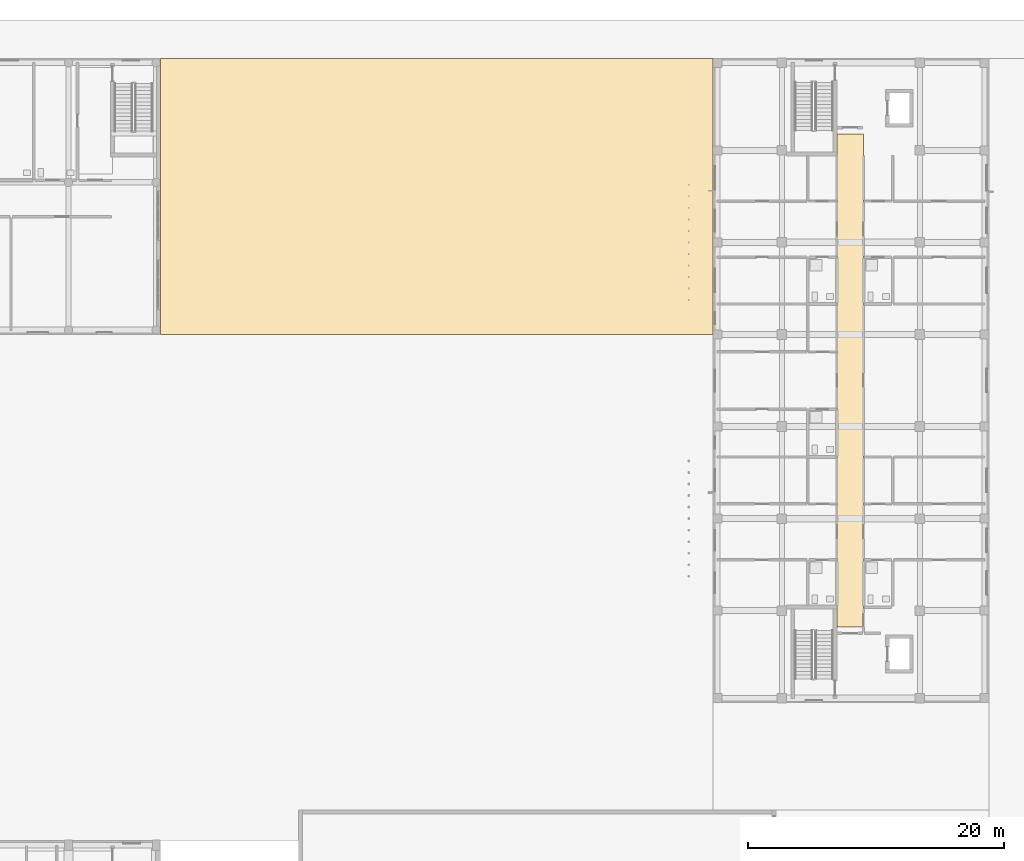
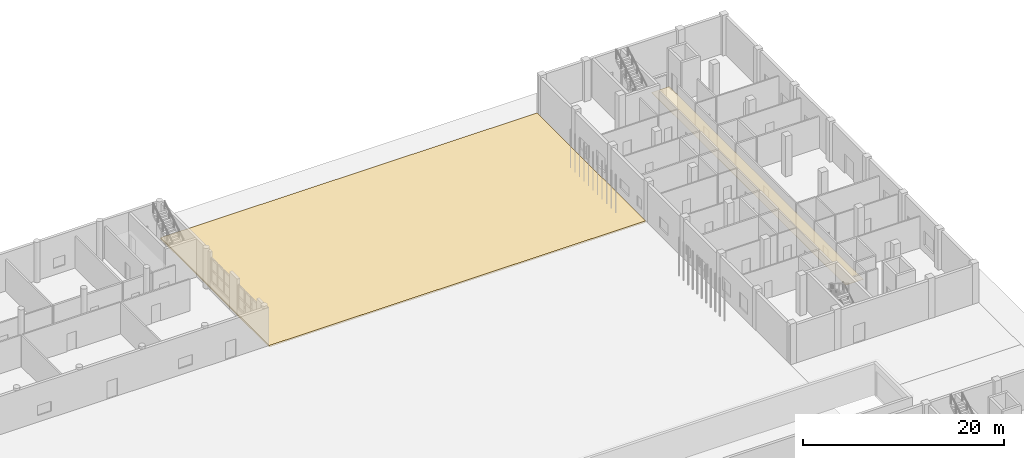
# One storey, part 82 of 85: 2 coverings.
"""IFC4 building model written with IfcOpenShell, lengths in metres."""

from ifc_helpers import new_model, si_unit, derived_unit, direction, frame, origin, place, context, subcontext, project, spatial, polyline, outline, extrude, material, layer, layer_set, type_object, element, save


model = new_model("IFC4")

# Units and contexts
model_context = context("Model", 3, precision=1e-05, world=origin(), true_north=direction((0.0, 1.0)))
body_context = subcontext(model_context, "Body", "Model", "MODEL_VIEW")
ifc_project = project(units=[si_unit("LENGTHUNIT", "METRE"), si_unit("AREAUNIT", "SQUARE_METRE"), si_unit("VOLUMEUNIT", "CUBIC_METRE"), si_unit("PLANEANGLEUNIT", "RADIAN"), si_unit("MASSUNIT", "GRAM", prefix="KILO"), derived_unit("THERMALTRANSMITTANCEUNIT", [(si_unit("MASSUNIT", "GRAM", prefix="KILO"), 1), (si_unit("TIMEUNIT", "SECOND"), -3), (si_unit("THERMODYNAMICTEMPERATUREUNIT", "KELVIN"), -1)])], contexts=[model_context])

# Site, building, storey
site_placement = place(None, origin())
site = spatial("IfcSite", under=ifc_project, at=site_placement, CompositionType="ELEMENT")
building_placement = place(site_placement, origin())
building = spatial("IfcBuilding", under=site, at=building_placement, Name="Ochrekiln Boulevard Commons", CompositionType="ELEMENT")
storey_placement = place(building_placement, origin())
storey = spatial("IfcBuildingStorey", under=building, at=storey_placement, Name="L00", CompositionType="ELEMENT", Elevation=0.0)

# Coverings
ifc_material_1 = material(Name="Mineral-fibre acoustic ceiling tile")
ifc_layer_1 = layer(ifc_material_1, 0.02490234375)
ifc_layer_set_1 = layer_set([ifc_layer_1], Name="Mineral-fibre acoustic ceiling tile")
covering_type_1 = type_object("IfcCoveringType", Name="COV-CEIL-AC", PredefinedType="CEILING", material=ifc_layer_set_1)
covering_1_placement = place(storey_placement, frame((0.0, 0.0, 2.64990234375)))
element("IfcCovering", 1, at=covering_1_placement, inside=storey, type_object=covering_type_1, Name="L00 Acoustic Corridor Ceiling 2", PredefinedType="CEILING", context=body_context, shape_type="SweptSolid", body=[
    extrude(outline(polyline([(160.919921875, 74.320068359375), (162.97998046875, 74.320068359375), (162.97998046875, 112.8798828125), (160.919921875, 112.8798828125), (160.919921875, 74.320068359375)])), origin(), (0.0, 0.0, 1.0), 0.025146484375),
])
ifc_material_2 = material(Name="Precast concrete C40/50", Category="concrete")
ifc_layer_2 = layer(ifc_material_2, 0.18994140625)
ifc_layer_set_2 = layer_set([ifc_layer_2], Name="Precast concrete C40/50")
covering_type_2 = type_object("IfcCoveringType", Name="COV-PAV-190", PredefinedType="FLOORING", material=ifc_layer_set_2)
covering_2_placement = place(storey_placement, frame((0.0, 0.0, -0.18994140625)))
element("IfcCovering", 2, at=covering_2_placement, inside=storey, type_object=covering_type_2, Name="North-East Garden Courtyard Paving Slab", PredefinedType="FLOORING", context=body_context, shape_type="SweptSolid", body=[
    extrude(outline(polyline([(108.0, 97.199951171875), (151.199951171875, 97.199951171875), (151.199951171875, 118.800048828125), (108.0, 118.800048828125), (108.0, 97.199951171875)])), origin(), (0.0, 0.0, 1.0), 0.18994140625),
])

save(model, "model.ifc")
